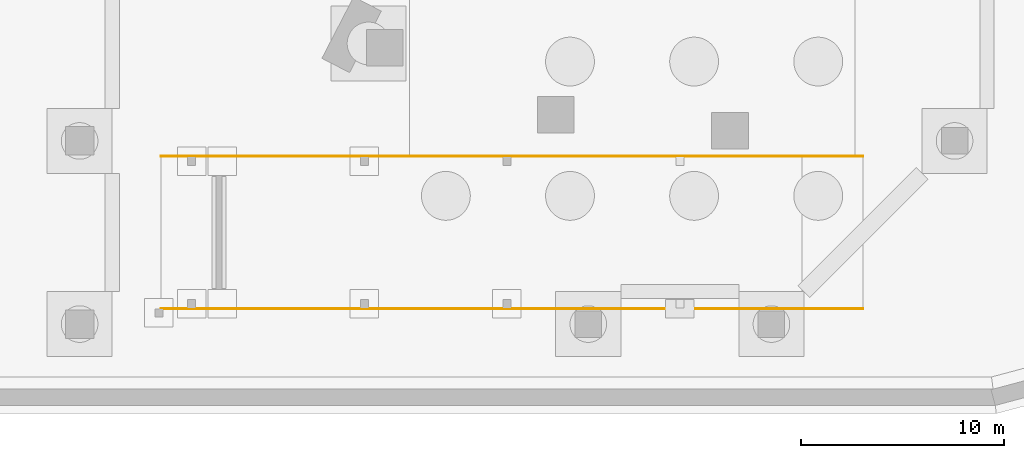
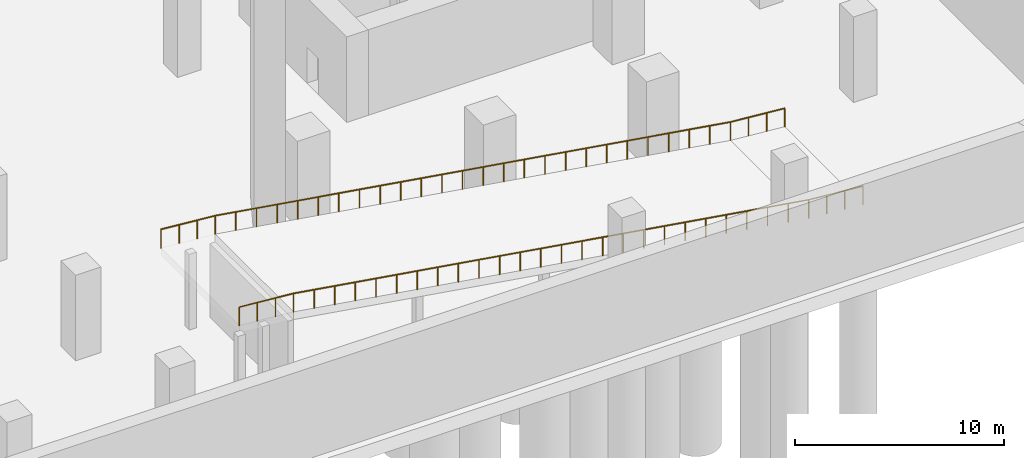
# One storey, part 9 of 11: 2 railings.
"""IFC4 building model written with IfcOpenShell, lengths in metres."""

from ifc_helpers import new_model, si_unit, direction, frame, origin, origin_2d, place, context, subcontext, project, spatial, circle, extrude, material, type_object, element, save


model = new_model("IFC4")

# Units and contexts
model_context = context("Model", 3, precision=1e-05, world=origin(), true_north=direction((0.0, 1.0)))
body_context = subcontext(model_context, "Body", "Model", "MODEL_VIEW")
ifc_project = project(units=[si_unit("LENGTHUNIT", "METRE"), si_unit("AREAUNIT", "SQUARE_METRE"), si_unit("VOLUMEUNIT", "CUBIC_METRE"), si_unit("PLANEANGLEUNIT", "RADIAN"), si_unit("MASSUNIT", "GRAM", prefix="KILO")], contexts=[model_context])

# Site, building, storey
site_placement = place(None, origin())
site = spatial("IfcSite", under=ifc_project, at=site_placement, CompositionType="ELEMENT")
building_placement = place(site_placement, origin())
building = spatial("IfcBuilding", under=site, at=building_placement, Name="Ostrand Prow Hotel Tower", CompositionType="ELEMENT")
storey_placement = place(building_placement, frame((0.0, 0.0, -10.0)))
storey = spatial("IfcBuildingStorey", under=building, at=storey_placement, Name="B2", CompositionType="ELEMENT", Elevation=-10.0)

# Railings
ifc_material = material(Name="Painted steel", Category="steel")
railing_type = type_object("IfcRailingType", Name="Ramp guard 1100", PredefinedType="GUARDRAIL", material=ifc_material)
railing_1_placement = place(storey_placement, frame((33.0, -27.75, 5.0)))
element("IfcRailing", 1, at=railing_1_placement, inside=storey, type_object=railing_type, Name="Ramp 2 guard", PredefinedType="GUARDRAIL", context=body_context, shape_type="SweptSolid", body=[
    extrude(circle(Radius=0.02392578125, at=origin_2d()), frame((0.0, 0.0, 1.076171875), z_axis=(0.996545758245, 0.0, -0.083045479854), x_axis=(0.0, 1.0, 0.0)), (0.0, 0.0, 1.0), 3.010498046875),
    extrude(circle(Radius=0.02392578125, at=origin_2d()), frame((3.0, 0.0, 0.826171875), z_axis=(0.987762965329, 0.0, -0.155962573473), x_axis=(0.0, 1.0, 0.0)), (0.0, 0.0, 1.0), 28.85302734375),
    extrude(circle(Radius=0.02392578125, at=origin_2d()), frame((31.5, 0.0, -3.673828125), z_axis=(0.996545758245, 0.0, -0.083045479854), x_axis=(0.0, 1.0, 0.0)), (0.0, 0.0, 1.0), 3.010498046875),
    extrude(circle(Radius=0.02099609375, at=origin_2d()), origin(), (0.0, 0.0, 1.0), 1.052001953125),
    extrude(circle(Radius=0.02099609375, at=origin_2d()), frame((1.0, 0.0, -0.083251953125)), (0.0, 0.0, 1.0), 1.052001953125),
    extrude(circle(Radius=0.02099609375, at=origin_2d()), frame((2.0, 0.0, -0.166748046875)), (0.0, 0.0, 1.0), 1.052001953125),
    extrude(circle(Radius=0.02099609375, at=origin_2d()), frame((3.0, 0.0, -0.25)), (0.0, 0.0, 1.0), 1.052001953125),
    extrude(circle(Radius=0.02099609375, at=origin_2d()), frame((4.139892578125, 0.0, -0.429931640625)), (0.0, 0.0, 1.0), 1.052001953125),
    extrude(circle(Radius=0.02099609375, at=origin_2d()), frame((5.280029296875, 0.0, -0.610107421875)), (0.0, 0.0, 1.0), 1.052001953125),
    extrude(circle(Radius=0.02099609375, at=origin_2d()), frame((6.419921875, 0.0, -0.7900390625)), (0.0, 0.0, 1.0), 1.052001953125),
    extrude(circle(Radius=0.02099609375, at=origin_2d()), frame((7.56005859375, 0.0, -0.969970703125)), (0.0, 0.0, 1.0), 1.052001953125),
    extrude(circle(Radius=0.02099609375, at=origin_2d()), frame((8.699951171875, 0.0, -1.14990234375)), (0.0, 0.0, 1.0), 1.052001953125),
    extrude(circle(Radius=0.02099609375, at=origin_2d()), frame((9.840087890625, 0.0, -1.330078125)), (0.0, 0.0, 1.0), 1.052001953125),
    extrude(circle(Radius=0.02099609375, at=origin_2d()), frame((10.97998046875, 0.0, -1.510009765625)), (0.0, 0.0, 1.0), 1.052001953125),
    extrude(circle(Radius=0.02099609375, at=origin_2d()), frame((12.1201171875, 0.0, -1.68994140625)), (0.0, 0.0, 1.0), 1.052001953125),
    extrude(circle(Radius=0.02099609375, at=origin_2d()), frame((13.260009765625, 0.0, -1.8701171875)), (0.0, 0.0, 1.0), 1.052001953125),
    extrude(circle(Radius=0.02099609375, at=origin_2d()), frame((14.39990234375, 0.0, -2.050048828125)), (0.0, 0.0, 1.0), 1.052001953125),
    extrude(circle(Radius=0.02099609375, at=origin_2d()), frame((15.5400390625, 0.0, -2.22998046875)), (0.0, 0.0, 1.0), 1.052001953125),
    extrude(circle(Radius=0.02099609375, at=origin_2d()), frame((16.679931640625, 0.0, -2.409912109375)), (0.0, 0.0, 1.0), 1.052001953125),
    extrude(circle(Radius=0.02099609375, at=origin_2d()), frame((17.820068359375, 0.0, -2.590087890625)), (0.0, 0.0, 1.0), 1.052001953125),
    extrude(circle(Radius=0.02099609375, at=origin_2d()), frame((18.9599609375, 0.0, -2.77001953125)), (0.0, 0.0, 1.0), 1.052001953125),
    extrude(circle(Radius=0.02099609375, at=origin_2d()), frame((20.10009765625, 0.0, -2.949951171875)), (0.0, 0.0, 1.0), 1.052001953125),
    extrude(circle(Radius=0.02099609375, at=origin_2d()), frame((21.239990234375, 0.0, -3.1298828125)), (0.0, 0.0, 1.0), 1.052001953125),
    extrude(circle(Radius=0.02099609375, at=origin_2d()), frame((22.3798828125, 0.0, -3.31005859375)), (0.0, 0.0, 1.0), 1.052001953125),
    extrude(circle(Radius=0.02099609375, at=origin_2d()), frame((23.52001953125, 0.0, -3.489990234375)), (0.0, 0.0, 1.0), 1.052001953125),
    extrude(circle(Radius=0.02099609375, at=origin_2d()), frame((24.659912109375, 0.0, -3.669921875)), (0.0, 0.0, 1.0), 1.052001953125),
    extrude(circle(Radius=0.02099609375, at=origin_2d()), frame((25.800048828125, 0.0, -3.85009765625)), (0.0, 0.0, 1.0), 1.052001953125),
    extrude(circle(Radius=0.02099609375, at=origin_2d()), frame((26.93994140625, 0.0, -4.030029296875)), (0.0, 0.0, 1.0), 1.052001953125),
    extrude(circle(Radius=0.02099609375, at=origin_2d()), frame((28.080078125, 0.0, -4.2099609375)), (0.0, 0.0, 1.0), 1.052001953125),
    extrude(circle(Radius=0.02099609375, at=origin_2d()), frame((29.219970703125, 0.0, -4.389892578125)), (0.0, 0.0, 1.0), 1.052001953125),
    extrude(circle(Radius=0.02099609375, at=origin_2d()), frame((30.360107421875, 0.0, -4.570068359375)), (0.0, 0.0, 1.0), 1.052001953125),
    extrude(circle(Radius=0.02099609375, at=origin_2d()), frame((31.5, 0.0, -4.75)), (0.0, 0.0, 1.0), 1.052001953125),
    extrude(circle(Radius=0.02099609375, at=origin_2d()), frame((32.5, 0.0, -4.833251953125)), (0.0, 0.0, 1.0), 1.052001953125),
    extrude(circle(Radius=0.02099609375, at=origin_2d()), frame((33.5, 0.0, -4.916748046875)), (0.0, 0.0, 1.0), 1.052001953125),
    extrude(circle(Radius=0.02099609375, at=origin_2d()), frame((34.5, 0.0, -5.0)), (0.0, 0.0, 1.0), 1.052001953125),
])
railing_2_placement = place(storey_placement, frame((33.0, -35.25, 5.0)))
element("IfcRailing", 2, at=railing_2_placement, inside=storey, type_object=railing_type, Name="Ramp 2 guard", PredefinedType="GUARDRAIL", context=body_context, shape_type="SweptSolid", body=[
    extrude(circle(Radius=0.02392578125, at=origin_2d()), frame((0.0, 0.0, 1.076171875), z_axis=(0.996545758245, 0.0, -0.083045479854), x_axis=(0.0, 1.0, 0.0)), (0.0, 0.0, 1.0), 3.010498046875),
    extrude(circle(Radius=0.02392578125, at=origin_2d()), frame((3.0, 0.0, 0.826171875), z_axis=(0.987762965329, 0.0, -0.155962573473), x_axis=(0.0, 1.0, 0.0)), (0.0, 0.0, 1.0), 28.85302734375),
    extrude(circle(Radius=0.02392578125, at=origin_2d()), frame((31.5, 0.0, -3.673828125), z_axis=(0.996545758245, 0.0, -0.083045479854), x_axis=(0.0, 1.0, 0.0)), (0.0, 0.0, 1.0), 3.010498046875),
    extrude(circle(Radius=0.02099609375, at=origin_2d()), origin(), (0.0, 0.0, 1.0), 1.052001953125),
    extrude(circle(Radius=0.02099609375, at=origin_2d()), frame((1.0, 0.0, -0.083251953125)), (0.0, 0.0, 1.0), 1.052001953125),
    extrude(circle(Radius=0.02099609375, at=origin_2d()), frame((2.0, 0.0, -0.166748046875)), (0.0, 0.0, 1.0), 1.052001953125),
    extrude(circle(Radius=0.02099609375, at=origin_2d()), frame((3.0, 0.0, -0.25)), (0.0, 0.0, 1.0), 1.052001953125),
    extrude(circle(Radius=0.02099609375, at=origin_2d()), frame((4.139892578125, 0.0, -0.429931640625)), (0.0, 0.0, 1.0), 1.052001953125),
    extrude(circle(Radius=0.02099609375, at=origin_2d()), frame((5.280029296875, 0.0, -0.610107421875)), (0.0, 0.0, 1.0), 1.052001953125),
    extrude(circle(Radius=0.02099609375, at=origin_2d()), frame((6.419921875, 0.0, -0.7900390625)), (0.0, 0.0, 1.0), 1.052001953125),
    extrude(circle(Radius=0.02099609375, at=origin_2d()), frame((7.56005859375, 0.0, -0.969970703125)), (0.0, 0.0, 1.0), 1.052001953125),
    extrude(circle(Radius=0.02099609375, at=origin_2d()), frame((8.699951171875, 0.0, -1.14990234375)), (0.0, 0.0, 1.0), 1.052001953125),
    extrude(circle(Radius=0.02099609375, at=origin_2d()), frame((9.840087890625, 0.0, -1.330078125)), (0.0, 0.0, 1.0), 1.052001953125),
    extrude(circle(Radius=0.02099609375, at=origin_2d()), frame((10.97998046875, 0.0, -1.510009765625)), (0.0, 0.0, 1.0), 1.052001953125),
    extrude(circle(Radius=0.02099609375, at=origin_2d()), frame((12.1201171875, 0.0, -1.68994140625)), (0.0, 0.0, 1.0), 1.052001953125),
    extrude(circle(Radius=0.02099609375, at=origin_2d()), frame((13.260009765625, 0.0, -1.8701171875)), (0.0, 0.0, 1.0), 1.052001953125),
    extrude(circle(Radius=0.02099609375, at=origin_2d()), frame((14.39990234375, 0.0, -2.050048828125)), (0.0, 0.0, 1.0), 1.052001953125),
    extrude(circle(Radius=0.02099609375, at=origin_2d()), frame((15.5400390625, 0.0, -2.22998046875)), (0.0, 0.0, 1.0), 1.052001953125),
    extrude(circle(Radius=0.02099609375, at=origin_2d()), frame((16.679931640625, 0.0, -2.409912109375)), (0.0, 0.0, 1.0), 1.052001953125),
    extrude(circle(Radius=0.02099609375, at=origin_2d()), frame((17.820068359375, 0.0, -2.590087890625)), (0.0, 0.0, 1.0), 1.052001953125),
    extrude(circle(Radius=0.02099609375, at=origin_2d()), frame((18.9599609375, 0.0, -2.77001953125)), (0.0, 0.0, 1.0), 1.052001953125),
    extrude(circle(Radius=0.02099609375, at=origin_2d()), frame((20.10009765625, 0.0, -2.949951171875)), (0.0, 0.0, 1.0), 1.052001953125),
    extrude(circle(Radius=0.02099609375, at=origin_2d()), frame((21.239990234375, 0.0, -3.1298828125)), (0.0, 0.0, 1.0), 1.052001953125),
    extrude(circle(Radius=0.02099609375, at=origin_2d()), frame((22.3798828125, 0.0, -3.31005859375)), (0.0, 0.0, 1.0), 1.052001953125),
    extrude(circle(Radius=0.02099609375, at=origin_2d()), frame((23.52001953125, 0.0, -3.489990234375)), (0.0, 0.0, 1.0), 1.052001953125),
    extrude(circle(Radius=0.02099609375, at=origin_2d()), frame((24.659912109375, 0.0, -3.669921875)), (0.0, 0.0, 1.0), 1.052001953125),
    extrude(circle(Radius=0.02099609375, at=origin_2d()), frame((25.800048828125, 0.0, -3.85009765625)), (0.0, 0.0, 1.0), 1.052001953125),
    extrude(circle(Radius=0.02099609375, at=origin_2d()), frame((26.93994140625, 0.0, -4.030029296875)), (0.0, 0.0, 1.0), 1.052001953125),
    extrude(circle(Radius=0.02099609375, at=origin_2d()), frame((28.080078125, 0.0, -4.2099609375)), (0.0, 0.0, 1.0), 1.052001953125),
    extrude(circle(Radius=0.02099609375, at=origin_2d()), frame((29.219970703125, 0.0, -4.389892578125)), (0.0, 0.0, 1.0), 1.052001953125),
    extrude(circle(Radius=0.02099609375, at=origin_2d()), frame((30.360107421875, 0.0, -4.570068359375)), (0.0, 0.0, 1.0), 1.052001953125),
    extrude(circle(Radius=0.02099609375, at=origin_2d()), frame((31.5, 0.0, -4.75)), (0.0, 0.0, 1.0), 1.052001953125),
    extrude(circle(Radius=0.02099609375, at=origin_2d()), frame((32.5, 0.0, -4.833251953125)), (0.0, 0.0, 1.0), 1.052001953125),
    extrude(circle(Radius=0.02099609375, at=origin_2d()), frame((33.5, 0.0, -4.916748046875)), (0.0, 0.0, 1.0), 1.052001953125),
    extrude(circle(Radius=0.02099609375, at=origin_2d()), frame((34.5, 0.0, -5.0)), (0.0, 0.0, 1.0), 1.052001953125),
])

save(model, "model.ifc")
